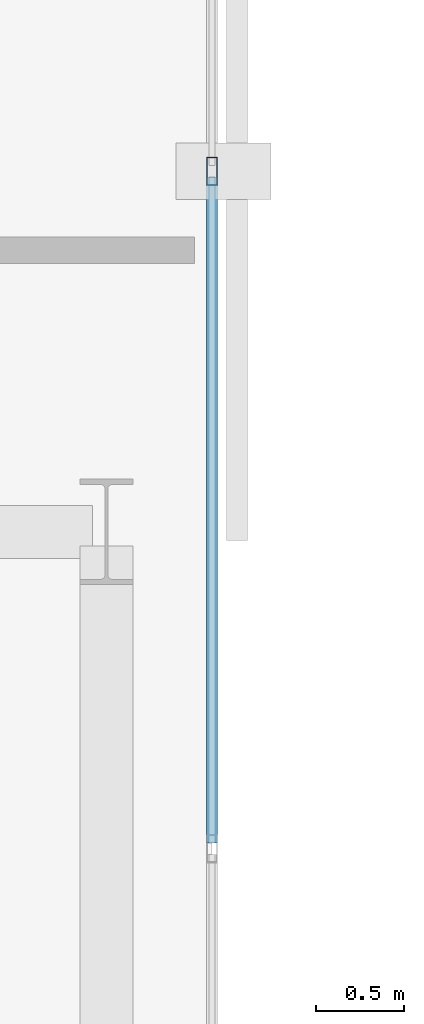
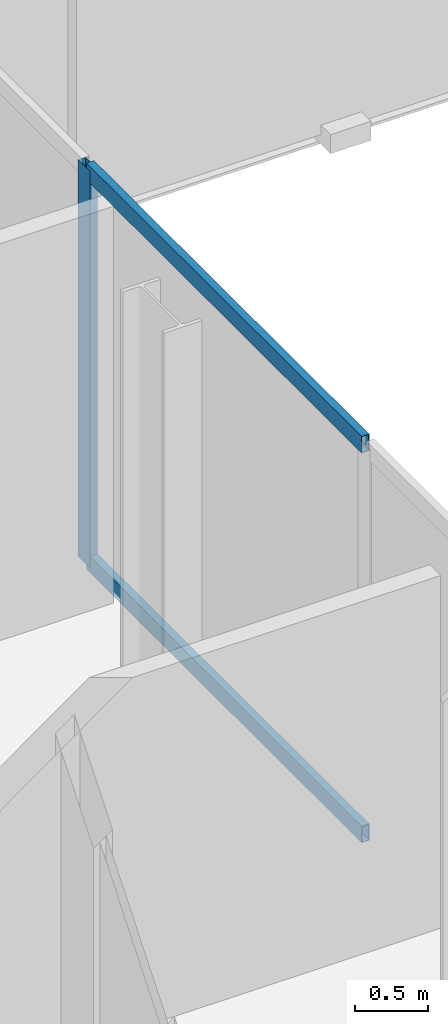
# One storey, part 8 of 32: 3 members, 1 element without a shape of its own.
"""IFC4 building model written with IfcOpenShell, lengths in metres."""

from ifc_helpers import new_model, si_unit, direction, frame, origin, origin_2d, place, context, subcontext, project, spatial, hollow_rectangle, extrude, material, layer, layer_set, material_profile, profile_set, type_object, element, aggregate, save


model = new_model("IFC4")

# Units and contexts
model_context = context("Model", 3, precision=1e-05, world=origin(), true_north=direction((0.0, 1.0)))
body_context = subcontext(model_context, "Body", "Model", "MODEL_VIEW")
ifc_project = project(units=[si_unit("LENGTHUNIT", "METRE"), si_unit("AREAUNIT", "SQUARE_METRE"), si_unit("VOLUMEUNIT", "CUBIC_METRE"), si_unit("PLANEANGLEUNIT", "RADIAN"), si_unit("MASSUNIT", "GRAM", prefix="KILO")], contexts=[model_context])

# Site, building, storey
site_placement = place(None, origin())
site = spatial("IfcSite", under=ifc_project, at=site_placement, CompositionType="ELEMENT")
building_placement = place(site_placement, origin())
building = spatial("IfcBuilding", under=site, at=building_placement, Name="Catumbela Crestline Tower", CompositionType="ELEMENT")
storey_placement = place(building_placement, frame((0.0, 0.0, 133.2)))
storey = spatial("IfcBuildingStorey", under=building, at=storey_placement, Name="L34", CompositionType="ELEMENT", Elevation=133.2)

# Curtain wall, members
ifc_material = material(Name="Aluminium alloy AW-6060-T66", Category="aluminium")
ifc_layer = layer(ifc_material, 0.18, Name="Aluminium alloy AW-6060-T66")
ifc_layer_set = layer_set([ifc_layer], Name="Aluminium alloy AW-6060-T66")
curtain_wall_type = type_object("IfcCurtainWallType", Name="CWU-Z2", PredefinedType="USERDEFINED", material=ifc_layer_set)
curtain_wall_placement = place(storey_placement, origin())
curtain_wall = element("IfcCurtainWall", 1, at=curtain_wall_placement, inside=storey, type_object=curtain_wall_type, Name="L34 Unitised Curtain Wall CW-L34-E2S1", ObjectType="UNITISED", PredefinedType="USERDEFINED")
ifc_material_profile_1 = material_profile(ifc_material, hollow_rectangle(XDim=0.06, YDim=0.16, WallThickness=0.004, at=origin_2d()), Name="ALU 160x60x4")
ifc_profile_set_1 = profile_set([ifc_material_profile_1], Name="Aluminium alloy AW-6060-T66")
member_type_1 = type_object("IfcMemberType", Name="MUL-160X60", PredefinedType="MULLION", material=ifc_profile_set_1)
member_1_placement = place(storey_placement, frame((24.0, 20.05, 0.0), z_axis=(0.0, 0.0, 1.0), x_axis=(-1.0, 0.0, 0.0)))
member_1 = element("IfcMember", 2, at=member_1_placement, type_object=member_type_1, Name="CWU-Z2 mullion 4", PredefinedType="MULLION", context=body_context, shape_type="SweptSolid", body=[
    extrude(hollow_rectangle(XDim=0.06, YDim=0.16, WallThickness=0.004, at=origin_2d()), origin(), (0.0, 0.0, 1.0), 3.33),
])
ifc_material_profile_2 = material_profile(ifc_material, hollow_rectangle(XDim=0.06, YDim=0.14, WallThickness=0.004, at=origin_2d()), Name="ALU 140x60x4")
ifc_profile_set_2 = profile_set([ifc_material_profile_2], Name="Aluminium alloy AW-6060-T66")
member_type_2 = type_object("IfcMemberType", Name="TRN-140X60", PredefinedType="USERDEFINED", material=ifc_profile_set_2)
member_2_placement = place(storey_placement, frame((24.0, 16.2325, 0.03), z_axis=(0.0, 1.0, 0.0), x_axis=(-1.0, 0.0, 0.0)))
member_2 = element("IfcMember", 3, at=member_2_placement, type_object=member_type_2, Name="CWU-Z2 transom 3.1", ObjectType="TRANSOM", PredefinedType="USERDEFINED", context=body_context, shape_type="SweptSolid", body=[
    extrude(hollow_rectangle(XDim=0.06, YDim=0.14, WallThickness=0.004, at=origin_2d()), origin(), (0.0, 0.0, 1.0), 3.785),
])
member_3_placement = place(storey_placement, frame((24.0, 16.2325, 3.3), z_axis=(0.0, 1.0, 0.0), x_axis=(-1.0, 0.0, 0.0)))
member_3 = element("IfcMember", 4, at=member_3_placement, type_object=member_type_2, Name="CWU-Z2 transom 3.2", ObjectType="TRANSOM", PredefinedType="USERDEFINED", context=body_context, shape_type="SweptSolid", body=[
    extrude(hollow_rectangle(XDim=0.06, YDim=0.14, WallThickness=0.004, at=origin_2d()), origin(), (0.0, 0.0, 1.0), 3.785),
])
aggregate(curtain_wall, [member_1, member_2, member_3])

save(model, "model.ifc")
